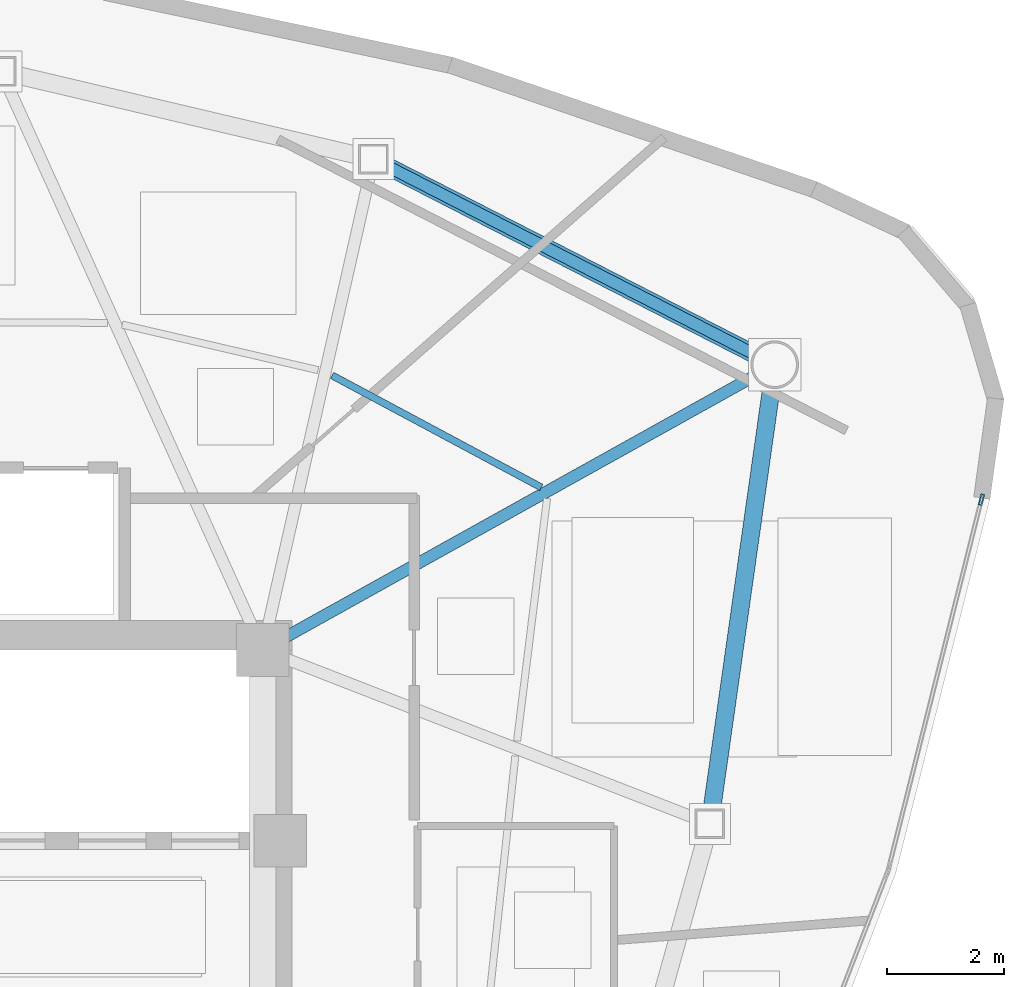
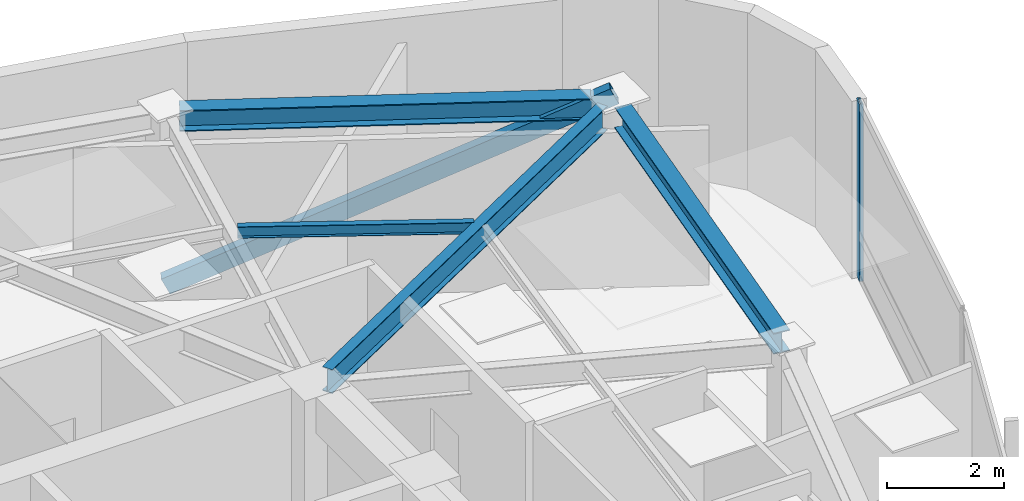
# One storey, part 6 of 12: 4 beams, 2 members, 1 element without a shape of its own.
"""IFC4 building model written with IfcOpenShell, lengths in metres."""

from ifc_helpers import new_model, si_unit, direction, frame, origin, origin_2d, place, context, subcontext, project, spatial, hollow_rectangle, i_section, extrude, source, transform, mapped, material, layer, layer_set, material_profile, profile_set, type_object, type_shapes, element, aggregate, save


model = new_model("IFC4")

# Units and contexts
model_context = context("Model", 3, precision=1e-05, world=origin(), true_north=direction((0.0, 1.0)))
body_context = subcontext(model_context, "Body", "Model", "MODEL_VIEW")
ifc_project = project(units=[si_unit("LENGTHUNIT", "METRE"), si_unit("AREAUNIT", "SQUARE_METRE"), si_unit("VOLUMEUNIT", "CUBIC_METRE"), si_unit("PLANEANGLEUNIT", "RADIAN"), si_unit("MASSUNIT", "GRAM", prefix="KILO")], contexts=[model_context])

# Site, building, storey
site_placement = place(None, origin())
site = spatial("IfcSite", under=ifc_project, at=site_placement, CompositionType="ELEMENT")
building_placement = place(site_placement, origin())
building = spatial("IfcBuilding", under=site, at=building_placement, Name="Tavelor Broadcast Tower", CompositionType="ELEMENT")
storey_placement = place(building_placement, frame((0.0, 0.0, 289.5)))
storey = spatial("IfcBuildingStorey", under=building, at=storey_placement, Name="L69", CompositionType="ELEMENT", Elevation=289.5)

# Beams
ifc_material_1 = material(Name="Steel S355", Category="steel")
ifc_material_profile_1 = material_profile(ifc_material_1, i_section(OverallWidth=0.1201171875, OverallDepth=0.239990234375, WebThickness=0.006103515625, FlangeThickness=0.009765625, at=origin_2d()), Name="IPE 240")
ifc_profile_set_1 = profile_set([ifc_material_profile_1], Name="Steel S355")
beam_type_1 = type_object("IfcBeamType", Name="Composite Floor Joist T7 IPE 240", PredefinedType="JOIST", material=ifc_profile_set_1)
beam_1_placement = place(storey_placement, frame((61.344482421875, 53.96630859375, 3.580078125), z_axis=(-0.881609274303, 0.471979965108, 0.0), x_axis=(-0.471979965108, -0.881609274303, 0.0)))
element("IfcBeam", 1, at=beam_1_placement, inside=storey, type_object=beam_type_1, Name="L69 Secondary Composite Floor Joist 13", PredefinedType="JOIST", context=body_context, shape_type="SweptSolid", body=[
    extrude(i_section(OverallWidth=0.1201171875, OverallDepth=0.239990234375, WebThickness=0.006103515625, FlangeThickness=0.009765625, at=origin_2d()), origin(), (0.0, 0.0, 1.0), 4.041015625),
])
ifc_material_profile_2 = material_profile(ifc_material_1, i_section(OverallWidth=0.300048828125, OverallDepth=0.43994140625, WebThickness=0.011474609375, FlangeThickness=0.02099609375, at=origin_2d()), Name="HEA 450")
ifc_profile_set_2 = profile_set([ifc_material_profile_2], Name="Steel S355")
beam_type_2 = type_object("IfcBeamType", Name="Perimeter Spandrel Beam T7 HEA 450", PredefinedType="SPANDREL", material=ifc_profile_set_2)
beam_2_placement = place(storey_placement, frame((64.248046875, 48.47509765625, 3.47998046875), z_axis=(0.139953453654, 0.990158083747, 0.0), x_axis=(-0.990158083747, 0.139953453654, 0.0)))
element("IfcBeam", 2, at=beam_2_placement, inside=storey, type_object=beam_type_2, Name="L69 Framed-Tube Ring Spandrel 12", PredefinedType="SPANDREL", context=body_context, shape_type="SweptSolid", body=[
    extrude(i_section(OverallWidth=0.300048828125, OverallDepth=0.43994140625, WebThickness=0.011474609375, FlangeThickness=0.02099609375, at=origin_2d()), origin(), (0.0, 0.0, 1.0), 7.265625),
])
beam_3_placement = place(storey_placement, frame((64.97216796875, 56.2333984375, 3.47998046875), z_axis=(-0.889963826526, 0.456031125556, 0.0), x_axis=(-0.456031125556, -0.889963826526, 0.0)))
element("IfcBeam", 3, at=beam_3_placement, inside=storey, type_object=beam_type_2, Name="L69 Framed-Tube Ring Spandrel 13", PredefinedType="SPANDREL", context=body_context, shape_type="SweptSolid", body=[
    extrude(i_section(OverallWidth=0.300048828125, OverallDepth=0.43994140625, WebThickness=0.011474609375, FlangeThickness=0.02099609375, at=origin_2d()), origin(), (0.0, 0.0, 1.0), 7.048583984375),
])

# Member
ifc_material_profile_3 = material_profile(ifc_material_1, hollow_rectangle(XDim=0.199951171875, YDim=0.35009765625, WallThickness=0.01611328125, at=origin_2d()), Name="RHS 350x200x16")
ifc_profile_set_3 = profile_set([ifc_material_profile_3], Name="Steel S355")
member_type_1 = type_object("IfcMemberType", Name="Perimeter Tube Brace T7 RHS 350x200x16", PredefinedType="BRACE", material=ifc_profile_set_3)
member_1_placement = place(storey_placement, frame((58.485595703125, 59.55712890625, 0.0), z_axis=(0.801763897696, -0.410792291396, 0.434078732123), x_axis=(0.455992584505, 0.889983574498, 0.0)))
element("IfcMember", 4, at=member_1_placement, inside=storey, type_object=member_type_1, Name="L69 Corner Tube Diagonal Brace 3", PredefinedType="BRACE", context=body_context, shape_type="SweptSolid", body=[
    extrude(hollow_rectangle(XDim=0.199951171875, YDim=0.35009765625, WallThickness=0.01611328125, at=origin_2d()), origin(), (0.0, 0.0, 1.0), 8.523681640625),
])

# Beam
ifc_material_profile_4 = material_profile(ifc_material_1, i_section(OverallWidth=0.199951171875, OverallDepth=0.5, WebThickness=0.01025390625, FlangeThickness=0.01611328125, at=origin_2d()), Name="IPE 500")
ifc_profile_set_4 = profile_set([ifc_material_profile_4], Name="Steel S355")
beam_type_3 = type_object("IfcBeamType", Name="Radial Floor Girder T7 IPE 500", PredefinedType="BEAM", material=ifc_profile_set_4)
beam_4_placement = place(storey_placement, frame((56.977294921875, 51.41015625, 3.449951171875), z_axis=(0.873672716844, 0.486514114741, 0.0), x_axis=(-0.486514114741, 0.873672716844, 0.0)))
element("IfcBeam", 5, at=beam_4_placement, inside=storey, type_object=beam_type_3, Name="L69 Radial Primary Floor Girder 13", PredefinedType="BEAM", context=body_context, shape_type="SweptSolid", body=[
    extrude(i_section(OverallWidth=0.199951171875, OverallDepth=0.5, WebThickness=0.01025390625, FlangeThickness=0.01611328125, at=origin_2d()), origin(), (0.0, 0.0, 1.0), 9.158203125),
])

# Curtain wall, member
ifc_material_2 = material(Name="Architectural Anodized Aluminium", Category="aluminium")
ifc_layer = layer(ifc_material_2, 0.199951171875)
ifc_layer_set = layer_set([ifc_layer], Name="Architectural Anodized Aluminium")
curtain_wall_type = type_object("IfcCurtainWallType", Name="Tower High-Zone Triple-Glazed Curtain Wall CW04", PredefinedType="NOTDEFINED", material=ifc_layer_set)
curtain_wall_placement = place(storey_placement, origin())
curtain_wall = element("IfcCurtainWall", 6, at=curtain_wall_placement, inside=storey, type_object=curtain_wall_type, Name="L69 Curtain Wall CW04 Run 764", PredefinedType="NOTDEFINED")
ifc_material_profile_5 = material_profile(ifc_material_2, hollow_rectangle(XDim=0.070068359375, YDim=0.199951171875, WallThickness=0.02197265625, at=origin_2d()), Name="RHS 70x200x22")
ifc_profile_set_5 = profile_set([ifc_material_profile_5], Name="Architectural Anodized Aluminium")
member_type_2 = type_object("IfcMemberType", Name="CW04 Extruded Aluminium Mullion 70x200", PredefinedType="MULLION", material=ifc_profile_set_5)
shared_shape = source(origin(), body_context, "Body", "SweptSolid", [
    extrude(hollow_rectangle(XDim=0.070068359375, YDim=0.199951171875, WallThickness=0.02197265625, at=origin_2d()), origin(), (0.0, 0.0, 1.0), 3.699951171875),
])
type_shapes(member_type_2, [shared_shape])
member_2_placement = place(storey_placement, frame((68.83984375, 53.758544921875, 0.0), z_axis=(0.0, 0.0, 1.0), x_axis=(-0.969770450424, 0.244019002303, 0.0)))
member_2 = element("IfcMember", 7, at=member_2_placement, type_object=member_type_2, Name="CW04 mullion 2", PredefinedType="MULLION", context=body_context, shape_type="MappedRepresentation", body=[
    mapped(shared_shape, transform((0.0, 0.0, 0.0), scale=1.0)),
])
aggregate(curtain_wall, [member_2])

save(model, "model.ifc")
